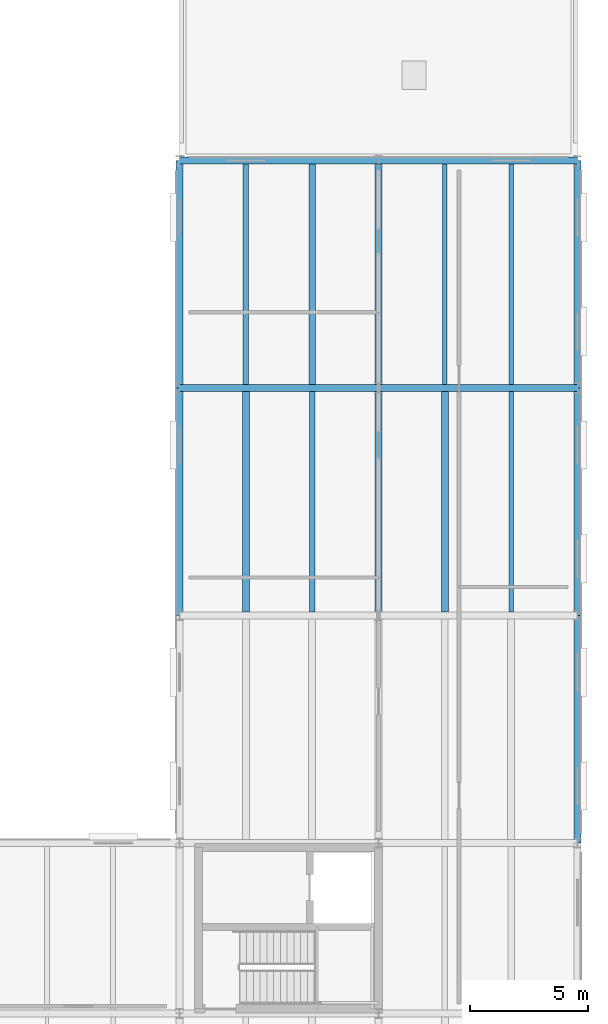
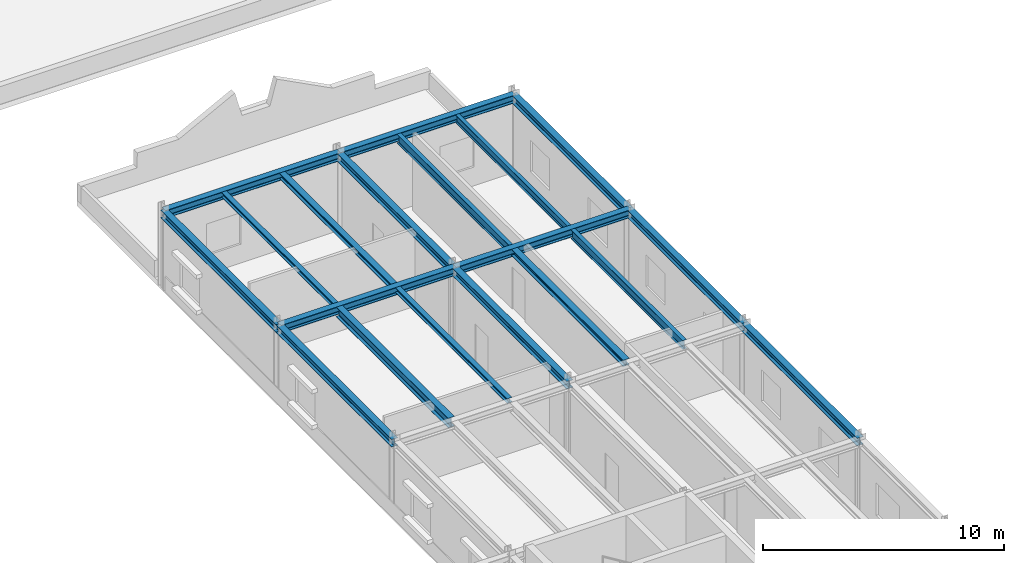
# One storey, part 37 of 69: 19 beams.
"""IFC4 building model written with IfcOpenShell, lengths in metres."""

from ifc_helpers import new_model, si_unit, direction, frame, origin, origin_2d, place, context, subcontext, project, spatial, i_section, extrude, material, material_profile, profile_set, type_object, element, save


model = new_model("IFC4")

# Units and contexts
model_context = context("Model", 3, precision=1e-05, world=origin(), true_north=direction((0.0, 1.0)))
body_context = subcontext(model_context, "Body", "Model", "MODEL_VIEW")
ifc_project = project(units=[si_unit("LENGTHUNIT", "METRE"), si_unit("AREAUNIT", "SQUARE_METRE"), si_unit("VOLUMEUNIT", "CUBIC_METRE"), si_unit("PLANEANGLEUNIT", "RADIAN"), si_unit("MASSUNIT", "GRAM", prefix="KILO")], contexts=[model_context])

# Site, building, storey
site_placement = place(None, origin())
site = spatial("IfcSite", under=ifc_project, at=site_placement, CompositionType="ELEMENT")
building_placement = place(site_placement, origin())
building = spatial("IfcBuilding", under=site, at=building_placement, Name="Montealbar Specialist Clinic", CompositionType="ELEMENT")
storey_placement = place(building_placement, frame((0.0, 0.0, 9.60009765625)))
storey = spatial("IfcBuildingStorey", under=building, at=storey_placement, Name="L02", CompositionType="ELEMENT", Elevation=9.60009765625)

# Beams
ifc_material = material(Name="Steel S355", Category="steel")
ifc_material_profile_1 = material_profile(ifc_material, i_section(OverallWidth=0.300048828125, OverallDepth=0.39990234375, WebThickness=0.013427734375, FlangeThickness=0.02392578125, FilletRadius=0.027099609375, at=origin_2d()), Name="HEB 400", Category="steel")
ifc_profile_set_1 = profile_set([ifc_material_profile_1], Name="Steel S355")
beam_type_1 = type_object("IfcBeamType", Name="BM-GIRD-HEB400-EXT", PredefinedType="BEAM", material=ifc_profile_set_1)
beam_1_placement = place(storey_placement, frame((145.199951171875, 71.39990234375, 3.72998046875), z_axis=(1.0, 0.0, 0.0), x_axis=(0.0, 1.0, 0.0)))
element("IfcBeam", 1, at=beam_1_placement, inside=storey, type_object=beam_type_1, Name="Beam GX-L02-1452-1536-714", PredefinedType="BEAM", context=body_context, shape_type="SweptSolid", body=[
    extrude(i_section(OverallWidth=0.300048828125, OverallDepth=0.39990234375, WebThickness=0.013427734375, FlangeThickness=0.02392578125, FilletRadius=0.027099609375, at=origin_2d()), origin(), (0.0, 0.0, 1.0), 8.400146484375),
])
beam_2_placement = place(storey_placement, frame((153.60009765625, 71.39990234375, 3.72998046875), z_axis=(1.0, 0.0, 0.0), x_axis=(0.0, 1.0, 0.0)))
element("IfcBeam", 2, at=beam_2_placement, inside=storey, type_object=beam_type_1, Name="Beam GX-L02-1536-1620-714", PredefinedType="BEAM", context=body_context, shape_type="SweptSolid", body=[
    extrude(i_section(OverallWidth=0.300048828125, OverallDepth=0.39990234375, WebThickness=0.013427734375, FlangeThickness=0.02392578125, FilletRadius=0.027099609375, at=origin_2d()), origin(), (0.0, 0.0, 1.0), 8.39990234375),
])
beam_3_placement = place(storey_placement, frame((145.199951171875, 81.0, 3.72998046875), z_axis=(1.0, 0.0, 0.0), x_axis=(0.0, 1.0, 0.0)))
element("IfcBeam", 3, at=beam_3_placement, inside=storey, type_object=beam_type_1, Name="Beam GX-L02-1452-1536-810", PredefinedType="BEAM", context=body_context, shape_type="SweptSolid", body=[
    extrude(i_section(OverallWidth=0.300048828125, OverallDepth=0.39990234375, WebThickness=0.013427734375, FlangeThickness=0.02392578125, FilletRadius=0.027099609375, at=origin_2d()), origin(), (0.0, 0.0, 1.0), 8.400146484375),
])
beam_4_placement = place(storey_placement, frame((153.60009765625, 81.0, 3.72998046875), z_axis=(1.0, 0.0, 0.0), x_axis=(0.0, 1.0, 0.0)))
element("IfcBeam", 4, at=beam_4_placement, inside=storey, type_object=beam_type_1, Name="Beam GX-L02-1536-1620-810", PredefinedType="BEAM", context=body_context, shape_type="SweptSolid", body=[
    extrude(i_section(OverallWidth=0.300048828125, OverallDepth=0.39990234375, WebThickness=0.013427734375, FlangeThickness=0.02392578125, FilletRadius=0.027099609375, at=origin_2d()), origin(), (0.0, 0.0, 1.0), 8.39990234375),
])
beam_5_placement = place(storey_placement, frame((145.199951171875, 61.800048828125, 3.72998046875), z_axis=(0.0, 1.0, 0.0), x_axis=(-1.0, 0.0, 0.0)))
element("IfcBeam", 5, at=beam_5_placement, inside=storey, type_object=beam_type_1, Name="Beam GY-L02-1452-618-714", PredefinedType="BEAM", context=body_context, shape_type="SweptSolid", body=[
    extrude(i_section(OverallWidth=0.300048828125, OverallDepth=0.39990234375, WebThickness=0.013427734375, FlangeThickness=0.02392578125, FilletRadius=0.027099609375, at=origin_2d()), origin(), (0.0, 0.0, 1.0), 9.599853515625),
])
beam_6_placement = place(storey_placement, frame((145.199951171875, 71.39990234375, 3.72998046875), z_axis=(0.0, 1.0, 0.0), x_axis=(-1.0, 0.0, 0.0)))
element("IfcBeam", 6, at=beam_6_placement, inside=storey, type_object=beam_type_1, Name="Beam GY-L02-1452-714-810", PredefinedType="BEAM", context=body_context, shape_type="SweptSolid", body=[
    extrude(i_section(OverallWidth=0.300048828125, OverallDepth=0.39990234375, WebThickness=0.013427734375, FlangeThickness=0.02392578125, FilletRadius=0.027099609375, at=origin_2d()), origin(), (0.0, 0.0, 1.0), 9.60009765625),
])
beam_7_placement = place(storey_placement, frame((153.60009765625, 61.800048828125, 3.72998046875), z_axis=(0.0, 1.0, 0.0), x_axis=(-1.0, 0.0, 0.0)))
element("IfcBeam", 7, at=beam_7_placement, inside=storey, type_object=beam_type_1, Name="Beam GY-L02-1536-618-714", PredefinedType="BEAM", context=body_context, shape_type="SweptSolid", body=[
    extrude(i_section(OverallWidth=0.300048828125, OverallDepth=0.39990234375, WebThickness=0.013427734375, FlangeThickness=0.02392578125, FilletRadius=0.027099609375, at=origin_2d()), origin(), (0.0, 0.0, 1.0), 9.599853515625),
])
for number, where, z_axis, x_axis, name in (
    (8, (153.60009765625, 71.39990234375, 3.72998046875), (0.0, 1.0, 0.0), (-1.0, 0.0, 0.0), "Beam GY-L02-1536-714-810"),
    (9, (162.0, 52.199951171875, 3.72998046875), (0.0, 1.0, 0.0), (-1.0, 0.0, 0.0), "Beam GY-L02-1620-522-618"),
):
    element("IfcBeam", number, at=place(storey_placement, frame(where, z_axis=z_axis, x_axis=x_axis)), inside=storey, type_object=beam_type_1, Name=name, PredefinedType="BEAM", context=body_context, shape_type="SweptSolid", body=[
        extrude(i_section(OverallWidth=0.300048828125, OverallDepth=0.39990234375, WebThickness=0.013427734375, FlangeThickness=0.02392578125, FilletRadius=0.027099609375, at=origin_2d()), origin(), (0.0, 0.0, 1.0), 9.60009765625),
    ])
beam_8_placement = place(storey_placement, frame((162.0, 61.800048828125, 3.72998046875), z_axis=(0.0, 1.0, 0.0), x_axis=(-1.0, 0.0, 0.0)))
element("IfcBeam", 10, at=beam_8_placement, inside=storey, type_object=beam_type_1, Name="Beam GY-L02-1620-618-714", PredefinedType="BEAM", context=body_context, shape_type="SweptSolid", body=[
    extrude(i_section(OverallWidth=0.300048828125, OverallDepth=0.39990234375, WebThickness=0.013427734375, FlangeThickness=0.02392578125, FilletRadius=0.027099609375, at=origin_2d()), origin(), (0.0, 0.0, 1.0), 9.599853515625),
])
beam_9_placement = place(storey_placement, frame((162.0, 71.39990234375, 3.72998046875), z_axis=(0.0, 1.0, 0.0), x_axis=(-1.0, 0.0, 0.0)))
element("IfcBeam", 11, at=beam_9_placement, inside=storey, type_object=beam_type_1, Name="Beam GY-L02-1620-714-810", PredefinedType="BEAM", context=body_context, shape_type="SweptSolid", body=[
    extrude(i_section(OverallWidth=0.300048828125, OverallDepth=0.39990234375, WebThickness=0.013427734375, FlangeThickness=0.02392578125, FilletRadius=0.027099609375, at=origin_2d()), origin(), (0.0, 0.0, 1.0), 9.60009765625),
])
ifc_material_profile_2 = material_profile(ifc_material, i_section(OverallWidth=0.300048828125, OverallDepth=0.489990234375, WebThickness=0.011962890625, FlangeThickness=0.02294921875, FilletRadius=0.027099609375, at=origin_2d()), Name="HEA 500", Category="steel")
ifc_profile_set_2 = profile_set([ifc_material_profile_2], Name="Steel S355")
beam_type_2 = type_object("IfcBeamType", Name="BM-JST-HEA500", PredefinedType="JOIST", material=ifc_profile_set_2)
beam_10_placement = place(storey_placement, frame((148.0, 61.949951171875, 3.684814453125), z_axis=(0.0, 1.0, 0.0), x_axis=(-1.0, 0.0, 0.0)))
element("IfcBeam", 12, at=beam_10_placement, inside=storey, type_object=beam_type_2, Name="Beam JST-L02-1480-620-712", PredefinedType="JOIST", context=body_context, shape_type="SweptSolid", body=[
    extrude(i_section(OverallWidth=0.300048828125, OverallDepth=0.489990234375, WebThickness=0.011962890625, FlangeThickness=0.02294921875, FilletRadius=0.027099609375, at=origin_2d()), origin(), (0.0, 0.0, 1.0), 9.300048828125),
])
ifc_material_profile_3 = material_profile(ifc_material, i_section(OverallWidth=0.239990234375, OverallDepth=0.239990234375, WebThickness=0.010009765625, FlangeThickness=0.01708984375, FilletRadius=0.02099609375, at=origin_2d()), Name="HEB 240", Category="steel")
ifc_profile_set_3 = profile_set([ifc_material_profile_3], Name="Steel S355")
beam_type_3 = type_object("IfcBeamType", Name="BM-JST-HEB240", PredefinedType="JOIST", material=ifc_profile_set_3)
for number, where, z_axis, x_axis, name in (
    (13, (150.800048828125, 61.949951171875, 3.809814453125), (0.0, 1.0, 0.0), (-1.0, 0.0, 0.0), "Beam JST-L02-1508-620-712"),
    (14, (148.0, 71.550048828125, 3.809814453125), (0.0, 1.0, 0.0), (-1.0, 0.0, 0.0), "Beam JST-L02-1480-716-808"),
):
    element("IfcBeam", number, at=place(storey_placement, frame(where, z_axis=z_axis, x_axis=x_axis)), inside=storey, type_object=beam_type_3, Name=name, PredefinedType="JOIST", context=body_context, shape_type="SweptSolid", body=[
        extrude(i_section(OverallWidth=0.239990234375, OverallDepth=0.239990234375, WebThickness=0.010009765625, FlangeThickness=0.01708984375, FilletRadius=0.02099609375, at=origin_2d()), origin(), (0.0, 0.0, 1.0), 9.300048828125),
    ])
ifc_material_profile_4 = material_profile(ifc_material, i_section(OverallWidth=0.280029296875, OverallDepth=0.280029296875, WebThickness=0.010498046875, FlangeThickness=0.01806640625, FilletRadius=0.02392578125, at=origin_2d()), Name="HEB 280", Category="steel")
ifc_profile_set_4 = profile_set([ifc_material_profile_4], Name="Steel S355")
beam_type_4 = type_object("IfcBeamType", Name="BM-JST-HEB280", PredefinedType="JOIST", material=ifc_profile_set_4)
beam_11_placement = place(storey_placement, frame((150.800048828125, 71.550048828125, 3.789794921875), z_axis=(0.0, 1.0, 0.0), x_axis=(-1.0, 0.0, 0.0)))
element("IfcBeam", 15, at=beam_11_placement, inside=storey, type_object=beam_type_4, Name="Beam JST-L02-1508-716-808", PredefinedType="JOIST", context=body_context, shape_type="SweptSolid", body=[
    extrude(i_section(OverallWidth=0.280029296875, OverallDepth=0.280029296875, WebThickness=0.010498046875, FlangeThickness=0.01806640625, FilletRadius=0.02392578125, at=origin_2d()), origin(), (0.0, 0.0, 1.0), 9.300048828125),
])
ifc_material_profile_5 = material_profile(ifc_material, i_section(OverallWidth=0.300048828125, OverallDepth=0.320068359375, WebThickness=0.011474609375, FlangeThickness=0.0205078125, FilletRadius=0.027099609375, at=origin_2d()), Name="HEB 320", Category="steel")
ifc_profile_set_5 = profile_set([ifc_material_profile_5], Name="Steel S355")
beam_type_5 = type_object("IfcBeamType", Name="BM-JST-HEB320", PredefinedType="JOIST", material=ifc_profile_set_5)
beam_12_placement = place(storey_placement, frame((156.39990234375, 61.949951171875, 3.77001953125), z_axis=(0.0, 1.0, 0.0), x_axis=(-1.0, 0.0, 0.0)))
element("IfcBeam", 16, at=beam_12_placement, inside=storey, type_object=beam_type_5, Name="Beam JST-L02-1564-620-712", PredefinedType="JOIST", context=body_context, shape_type="SweptSolid", body=[
    extrude(i_section(OverallWidth=0.300048828125, OverallDepth=0.320068359375, WebThickness=0.011474609375, FlangeThickness=0.0205078125, FilletRadius=0.027099609375, at=origin_2d()), origin(), (0.0, 0.0, 1.0), 9.300048828125),
])
ifc_material_profile_6 = material_profile(ifc_material, i_section(OverallWidth=0.179931640625, OverallDepth=0.39990234375, WebThickness=0.008544921875, FlangeThickness=0.013427734375, FilletRadius=0.02099609375, at=origin_2d()), Name="IPE 400", Category="steel")
ifc_profile_set_6 = profile_set([ifc_material_profile_6], Name="Steel S355")
beam_type_6 = type_object("IfcBeamType", Name="BM-SEC-IPE400", PredefinedType="BEAM", material=ifc_profile_set_6)
beam_13_placement = place(storey_placement, frame((159.199951171875, 71.550048828125, 3.72998046875), z_axis=(0.0, 1.0, 0.0), x_axis=(-1.0, 0.0, 0.0)))
element("IfcBeam", 17, at=beam_13_placement, inside=storey, type_object=beam_type_6, Name="Beam JST-L02-1592-716-808", PredefinedType="BEAM", context=body_context, shape_type="SweptSolid", body=[
    extrude(i_section(OverallWidth=0.179931640625, OverallDepth=0.39990234375, WebThickness=0.008544921875, FlangeThickness=0.013427734375, FilletRadius=0.02099609375, at=origin_2d()), origin(), (0.0, 0.0, 1.0), 9.300048828125),
])
ifc_material_profile_7 = material_profile(ifc_material, i_section(OverallWidth=0.18994140625, OverallDepth=0.449951171875, WebThickness=0.009521484375, FlangeThickness=0.0146484375, FilletRadius=0.02099609375, at=origin_2d()), Name="IPE 450", Category="steel")
ifc_profile_set_7 = profile_set([ifc_material_profile_7], Name="Steel S355")
beam_type_7 = type_object("IfcBeamType", Name="BM-SEC-IPE450", PredefinedType="BEAM", material=ifc_profile_set_7)
for number, where, z_axis, x_axis, name in (
    (18, (159.199951171875, 61.949951171875, 3.704833984375), (0.0, 1.0, 0.0), (-1.0, 0.0, 0.0), "Beam JST-L02-1592-620-712"),
    (19, (156.39990234375, 71.550048828125, 3.704833984375), (0.0, 1.0, 0.0), (-1.0, 0.0, 0.0), "Beam JST-L02-1564-716-808"),
):
    element("IfcBeam", number, at=place(storey_placement, frame(where, z_axis=z_axis, x_axis=x_axis)), inside=storey, type_object=beam_type_7, Name=name, PredefinedType="BEAM", context=body_context, shape_type="SweptSolid", body=[
        extrude(i_section(OverallWidth=0.18994140625, OverallDepth=0.449951171875, WebThickness=0.009521484375, FlangeThickness=0.0146484375, FilletRadius=0.02099609375, at=origin_2d()), origin(), (0.0, 0.0, 1.0), 9.300048828125),
    ])

save(model, "model.ifc")
